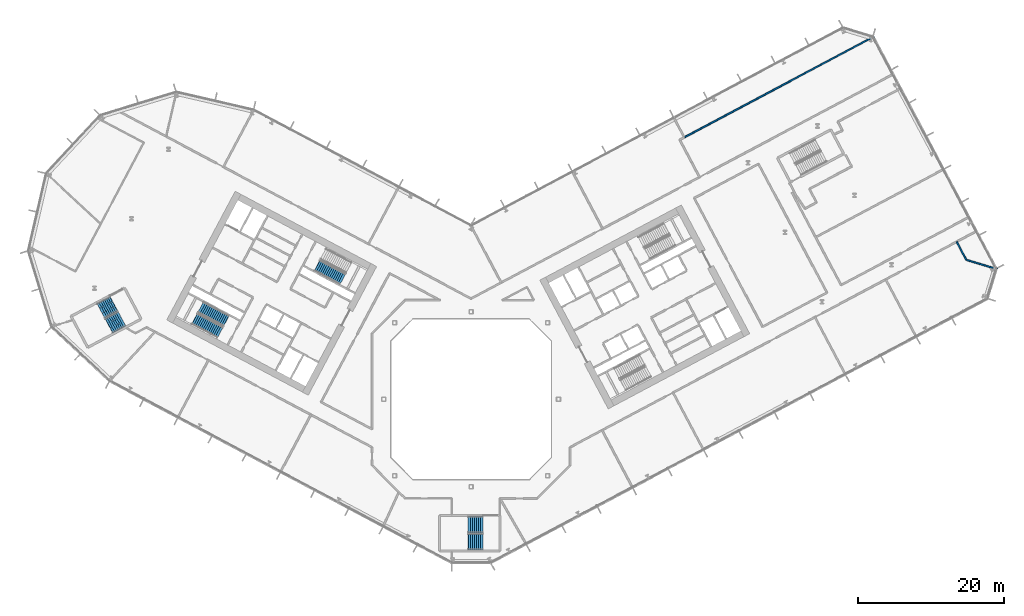
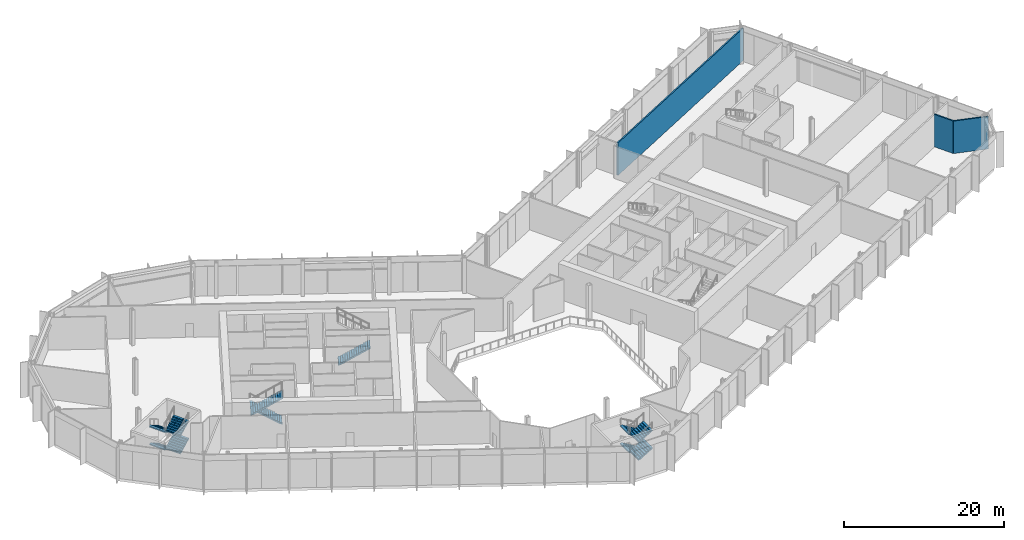
# One storey, part 18 of 32: 11 stair flights, 3 walls, 4 elements without a shape of their own.
"""IFC4 building model written with IfcOpenShell, lengths in metres."""

from ifc_helpers import new_model, si_unit, direction, frame, frame_2d, origin, place, context, subcontext, project, spatial, polyline, rectangle, outline, extrude, material, layer, layer_set, type_object, element, aggregate, save


model = new_model("IFC4")

# Units and contexts
model_context = context("Model", 3, precision=1e-05, world=origin(), true_north=direction((0.0, 1.0)))
body_context = subcontext(model_context, "Body", "Model", "MODEL_VIEW")
ifc_project = project(units=[si_unit("LENGTHUNIT", "METRE"), si_unit("AREAUNIT", "SQUARE_METRE"), si_unit("VOLUMEUNIT", "CUBIC_METRE"), si_unit("PLANEANGLEUNIT", "RADIAN"), si_unit("MASSUNIT", "GRAM", prefix="KILO")], contexts=[model_context])

# Site, building, storey
site_placement = place(None, origin())
site = spatial("IfcSite", under=ifc_project, at=site_placement, CompositionType="ELEMENT")
building_placement = place(site_placement, origin())
building = spatial("IfcBuilding", under=site, at=building_placement, Name="Cormorant Relay Tower", CompositionType="ELEMENT")
storey_placement = place(building_placement, frame((0.0, 0.0, 39.199951171875)))
storey = spatial("IfcBuildingStorey", under=building, at=storey_placement, Name="L07", CompositionType="ELEMENT", Elevation=39.199951171875)

# Walls
ifc_material_1 = material(Name="Fire-rated gypsum board partition")
ifc_layer = layer(ifc_material_1, 0.199951171875)
ifc_layer_set = layer_set([ifc_layer], Name="Fire-rated gypsum partition 200")
wall_type = type_object("IfcWallType", Name="Fire-rated gypsum partition 200", PredefinedType="PARTITIONING", material=ifc_layer_set)
wall_1_placement = place(storey_placement, frame((29.260009765625, 35.945068359375, 0.0), z_axis=(0.0, 0.0, 1.0), x_axis=(0.882955510648, 0.469456671288, 0.0)))
element("IfcWall", 1, at=wall_1_placement, inside=storey, type_object=wall_type, Name="wall/L07/part/37", PredefinedType="PARTITIONING", context=body_context, shape_type="SweptSolid", body=[
    extrude(rectangle(XDim=29.506591796875, YDim=0.199951171875, at=frame_2d((14.75341796875, 0.0))), origin(), (0.0, 0.0, 1.0), 4.949951171875),
])
wall_2_placement = place(storey_placement, frame((66.64892578125, 21.623046875, 0.0), z_axis=(0.0, 0.0, 1.0), x_axis=(0.469796507672, -0.882774739885, 0.0)))
element("IfcWall", 2, at=wall_2_placement, inside=storey, type_object=wall_type, Name="wall/L07/part/54", PredefinedType="PARTITIONING", context=body_context, shape_type="SweptSolid", body=[
    extrude(rectangle(XDim=2.801513671875, YDim=0.199951171875, at=frame_2d((1.40087890625, 0.0))), origin(), (0.0, 0.0, 1.0), 4.949951171875),
])
wall_3_placement = place(storey_placement, frame((67.965087890625, 19.14990234375, 0.0), z_axis=(0.0, 0.0, 1.0), x_axis=(0.956221844793, -0.292642757539, 0.0)))
element("IfcWall", 3, at=wall_3_placement, inside=storey, type_object=wall_type, Name="wall/L07/part/55", PredefinedType="PARTITIONING", context=body_context, shape_type="SweptSolid", body=[
    extrude(rectangle(XDim=4.459228515625, YDim=0.199951171875, at=frame_2d((2.2294921875, 0.0))), origin(), (0.0, 0.0, 1.0), 4.949951171875),
])

# Stair, stair flight
ifc_material_2 = material(Name="Concrete 40 MPa", Category="concrete")
stair_type_1 = type_object("IfcStairType", Name="Exit stair 1500", PredefinedType="HALF_TURN_STAIR", material=ifc_material_2)
stair_1_placement = place(storey_placement, origin())
stair_1 = element("IfcStair", 4, at=stair_1_placement, inside=storey, type_object=stair_type_1, Name="L07 Stair", PredefinedType="HALF_TURN_STAIR")
ifc_material_3 = material(Name="Concrete 40 MPa", Category="concrete")
stair_flight_type_1 = type_object("IfcStairFlightType", Name="Exit stair flight 1650", PredefinedType="STRAIGHT", material=ifc_material_3)
stair_flight_1_placement = place(storey_placement, frame((-21.114501953125, 18.33349609375, 0.0), z_axis=(0.0, 0.0, 1.0), x_axis=(0.882947592859, -0.469471562786, 0.0)))
stair_flight_1 = element("IfcStairFlight", 5, at=stair_flight_1_placement, type_object=stair_flight_type_1, Name="A1 flight 1", NumberOfRisers=15, NumberOfTreads=14, PredefinedType="STRAIGHT", RiserHeight=0.18, TreadLength=0.28, context=body_context, shape_type="SweptSolid", body=[
    extrude(outline(polyline([(-0.050048828125, -0.080078125), (-0.050048828125, 0.0), (0.0, 0.0), (0.0, 0.179931640625), (0.280029296875, 0.179931640625), (0.280029296875, 0.360107421875), (0.56005859375, 0.360107421875), (0.56005859375, 0.5400390625), (0.840087890625, 0.5400390625), (0.840087890625, 0.719970703125), (1.1201171875, 0.719970703125), (1.1201171875, 0.89990234375), (1.39990234375, 0.89990234375), (1.39990234375, 1.080078125), (1.679931640625, 1.080078125), (1.679931640625, 1.260009765625), (1.9599609375, 1.260009765625), (1.9599609375, 1.43994140625), (2.239990234375, 1.43994140625), (2.239990234375, 1.6201171875), (2.52001953125, 1.6201171875), (2.52001953125, 1.800048828125), (2.800048828125, 1.800048828125), (2.800048828125, 1.97998046875), (3.080078125, 1.97998046875), (3.080078125, 2.159912109375), (3.360107421875, 2.159912109375), (3.360107421875, 2.340087890625), (3.639892578125, 2.340087890625), (3.639892578125, 2.52001953125), (3.919921875, 2.52001953125), (3.969970703125, 2.52001953125), (3.969970703125, 2.341796875), (3.919921875, 2.341796875), (0.277099609375, 0.0), (-0.050048828125, -0.080078125)])), frame((0.0, 0.824951171875, 0.0), z_axis=(0.0, -1.0, 0.0), x_axis=(1.0, 0.0, 0.0)), (0.0, 0.0, 1.0), 1.64990234375),
])
aggregate(stair_1, [stair_flight_1])

# Stair, stair flights
stair_2_placement = place(storey_placement, origin())
stair_2 = element("IfcStair", 6, at=stair_2_placement, inside=storey, type_object=stair_type_1, Name="L07 Stair", PredefinedType="HALF_TURN_STAIR")
stair_flight_2_placement = place(storey_placement, frame((-33.62841796875, 10.773681640625, 0.0), z_axis=(0.0, 0.0, 1.0), x_axis=(-0.882947592859, 0.469471562786, 0.0)))
stair_flight_2 = element("IfcStairFlight", 7, at=stair_flight_2_placement, type_object=stair_flight_type_1, Name="A2 flight 1", NumberOfRisers=15, NumberOfTreads=14, PredefinedType="STRAIGHT", RiserHeight=0.18, TreadLength=0.28, context=body_context, shape_type="SweptSolid", body=[
    extrude(outline(polyline([(-0.050048828125, -0.080078125), (-0.050048828125, 0.0), (0.0, 0.0), (0.0, 0.179931640625), (0.280029296875, 0.179931640625), (0.280029296875, 0.360107421875), (0.56005859375, 0.360107421875), (0.56005859375, 0.5400390625), (0.840087890625, 0.5400390625), (0.840087890625, 0.719970703125), (1.1201171875, 0.719970703125), (1.1201171875, 0.89990234375), (1.39990234375, 0.89990234375), (1.39990234375, 1.080078125), (1.679931640625, 1.080078125), (1.679931640625, 1.260009765625), (1.9599609375, 1.260009765625), (1.9599609375, 1.43994140625), (2.239990234375, 1.43994140625), (2.239990234375, 1.6201171875), (2.52001953125, 1.6201171875), (2.52001953125, 1.800048828125), (2.800048828125, 1.800048828125), (2.800048828125, 1.97998046875), (3.080078125, 1.97998046875), (3.080078125, 2.159912109375), (3.360107421875, 2.159912109375), (3.360107421875, 2.340087890625), (3.639892578125, 2.340087890625), (3.639892578125, 2.52001953125), (3.919921875, 2.52001953125), (3.969970703125, 2.52001953125), (3.969970703125, 2.341796875), (3.919921875, 2.341796875), (0.277099609375, 0.0), (-0.050048828125, -0.080078125)])), frame((0.0, 0.824951171875, 0.0), z_axis=(0.0, -1.0, 0.0), x_axis=(1.0, 0.0, 0.0)), (0.0, 0.0, 1.0), 1.64990234375),
])
stair_flight_3_placement = place(storey_placement, frame((-37.9345703125, 11.024658203125, 2.699951171875), z_axis=(0.0, 0.0, 1.0), x_axis=(0.882947592859, -0.469471562786, 0.0)))
stair_flight_3 = element("IfcStairFlight", 8, at=stair_flight_3_placement, type_object=stair_flight_type_1, Name="A2 flight 2", NumberOfRisers=15, NumberOfTreads=14, PredefinedType="STRAIGHT", RiserHeight=0.18, TreadLength=0.28, context=body_context, shape_type="SweptSolid", body=[
    extrude(outline(polyline([(-0.050048828125, -0.080078125), (-0.050048828125, 0.0), (0.0, 0.0), (0.0, 0.179931640625), (0.280029296875, 0.179931640625), (0.280029296875, 0.360107421875), (0.56005859375, 0.360107421875), (0.56005859375, 0.5400390625), (0.840087890625, 0.5400390625), (0.840087890625, 0.719970703125), (1.1201171875, 0.719970703125), (1.1201171875, 0.89990234375), (1.39990234375, 0.89990234375), (1.39990234375, 1.080078125), (1.679931640625, 1.080078125), (1.679931640625, 1.260009765625), (1.9599609375, 1.260009765625), (1.9599609375, 1.43994140625), (2.239990234375, 1.43994140625), (2.239990234375, 1.6201171875), (2.52001953125, 1.6201171875), (2.52001953125, 1.800048828125), (2.800048828125, 1.800048828125), (2.800048828125, 1.97998046875), (3.080078125, 1.97998046875), (3.080078125, 2.159912109375), (3.360107421875, 2.159912109375), (3.360107421875, 2.340087890625), (3.639892578125, 2.340087890625), (3.639892578125, 2.52001953125), (3.919921875, 2.52001953125), (3.969970703125, 2.52001953125), (3.969970703125, 2.341796875), (3.919921875, 2.341796875), (0.277099609375, 0.0), (-0.050048828125, -0.080078125)])), frame((0.0, 0.824951171875, 0.0), z_axis=(0.0, -1.0, 0.0), x_axis=(1.0, 0.0, 0.0)), (0.0, 0.0, 1.0), 1.64990234375),
])
aggregate(stair_2, [stair_flight_2, stair_flight_3])

ifc_material_4 = material(Name="Concrete 40 MPa", Category="concrete")
stair_type_2 = type_object("IfcStairType", Name="Remote exit stair 2200", PredefinedType="HALF_TURN_STAIR", material=ifc_material_4)
stair_3_placement = place(storey_placement, origin())
stair_3 = element("IfcStair", 9, at=stair_3_placement, inside=storey, type_object=stair_type_2, Name="L07 Stair", PredefinedType="HALF_TURN_STAIR")
ifc_material_5 = material(Name="Concrete 40 MPa", Category="concrete")
stair_flight_type_2 = type_object("IfcStairFlightType", Name="Remote exit stair flight 2200", PredefinedType="STRAIGHT", material=ifc_material_5)
stair_flight_4_placement = place(storey_placement, frame((1.60009765625, -17.22509765625, 0.0), z_axis=(0.0, 0.0, 1.0), x_axis=(-1.0, 0.0, 0.0)))
stair_flight_4 = element("IfcStairFlight", 10, at=stair_flight_4_placement, type_object=stair_flight_type_2, Name="RK1 flight 1", NumberOfRisers=8, NumberOfTreads=7, PredefinedType="STRAIGHT", RiserHeight=0.16875, TreadLength=0.28, context=body_context, shape_type="SweptSolid", body=[
    extrude(outline(polyline([(-0.050048828125, -0.080078125), (-0.050048828125, 0.0), (0.0, 0.0), (0.0, 0.168701171875), (0.280029296875, 0.168701171875), (0.280029296875, 0.33740234375), (0.56005859375, 0.33740234375), (0.56005859375, 0.50634765625), (0.840087890625, 0.50634765625), (0.840087890625, 0.675048828125), (1.1201171875, 0.675048828125), (1.1201171875, 0.84375), (1.39990234375, 0.84375), (1.39990234375, 1.012451171875), (1.679931640625, 1.012451171875), (1.679931640625, 1.18115234375), (1.9599609375, 1.18115234375), (2.010009765625, 1.18115234375), (2.010009765625, 1.00634765625), (1.9599609375, 1.00634765625), (0.29052734375, 0.0), (-0.050048828125, -0.080078125)])), frame((0.0, 1.10009765625, 0.0), z_axis=(0.0, -1.0, 0.0), x_axis=(1.0, 0.0, 0.0)), (0.0, 0.0, 1.0), 0.719970703125),
    extrude(outline(polyline([(-0.050048828125, -0.080078125), (-0.050048828125, 0.0), (0.0, 0.0), (0.0, 0.168701171875), (0.280029296875, 0.168701171875), (0.280029296875, 0.33740234375), (0.56005859375, 0.33740234375), (0.56005859375, 0.50634765625), (0.840087890625, 0.50634765625), (0.840087890625, 0.675048828125), (1.1201171875, 0.675048828125), (1.1201171875, 0.84375), (1.39990234375, 0.84375), (1.39990234375, 1.012451171875), (1.679931640625, 1.012451171875), (1.679931640625, 1.18115234375), (1.9599609375, 1.18115234375), (2.010009765625, 1.18115234375), (2.010009765625, 1.00634765625), (1.9599609375, 1.00634765625), (0.29052734375, 0.0), (-0.050048828125, -0.080078125)])), frame((0.0, 0.360107421875, 0.0), z_axis=(0.0, -1.0, 0.0), x_axis=(1.0, 0.0, 0.0)), (0.0, 0.0, 1.0), 0.719970703125),
    extrude(outline(polyline([(-0.050048828125, -0.080078125), (-0.050048828125, 0.0), (0.0, 0.0), (0.0, 0.168701171875), (0.280029296875, 0.168701171875), (0.280029296875, 0.33740234375), (0.56005859375, 0.33740234375), (0.56005859375, 0.50634765625), (0.840087890625, 0.50634765625), (0.840087890625, 0.675048828125), (1.1201171875, 0.675048828125), (1.1201171875, 0.84375), (1.39990234375, 0.84375), (1.39990234375, 1.012451171875), (1.679931640625, 1.012451171875), (1.679931640625, 1.18115234375), (1.9599609375, 1.18115234375), (2.010009765625, 1.18115234375), (2.010009765625, 1.00634765625), (1.9599609375, 1.00634765625), (0.29052734375, 0.0), (-0.050048828125, -0.080078125)])), frame((0.0, -0.3798828125, 0.0), z_axis=(0.0, -1.0, 0.0), x_axis=(1.0, 0.0, 0.0)), (0.0, 0.0, 1.0), 0.719970703125),
])
stair_flight_5_placement = place(storey_placement, frame((-0.360107421875, -19.574951171875, 1.35009765625), z_axis=(0.0, 0.0, 1.0), x_axis=(1.0, 0.0, 0.0)))
stair_flight_5 = element("IfcStairFlight", 11, at=stair_flight_5_placement, type_object=stair_flight_type_2, Name="RK1 flight 2", NumberOfRisers=8, NumberOfTreads=7, PredefinedType="STRAIGHT", RiserHeight=0.16875, TreadLength=0.28, context=body_context, shape_type="SweptSolid", body=[
    extrude(outline(polyline([(-0.050048828125, -0.080078125), (-0.050048828125, 0.0), (0.0, 0.0), (0.0, 0.168701171875), (0.280029296875, 0.168701171875), (0.280029296875, 0.33740234375), (0.56005859375, 0.33740234375), (0.56005859375, 0.50634765625), (0.840087890625, 0.50634765625), (0.840087890625, 0.675048828125), (1.1201171875, 0.675048828125), (1.1201171875, 0.84375), (1.39990234375, 0.84375), (1.39990234375, 1.012451171875), (1.679931640625, 1.012451171875), (1.679931640625, 1.18115234375), (1.9599609375, 1.18115234375), (2.010009765625, 1.18115234375), (2.010009765625, 1.00634765625), (1.9599609375, 1.00634765625), (0.29052734375, 0.0), (-0.050048828125, -0.080078125)])), frame((0.0, 1.10009765625, 0.0), z_axis=(0.0, -1.0, 0.0), x_axis=(1.0, 0.0, 0.0)), (0.0, 0.0, 1.0), 0.719970703125),
    extrude(outline(polyline([(-0.050048828125, -0.080078125), (-0.050048828125, 0.0), (0.0, 0.0), (0.0, 0.168701171875), (0.280029296875, 0.168701171875), (0.280029296875, 0.33740234375), (0.56005859375, 0.33740234375), (0.56005859375, 0.50634765625), (0.840087890625, 0.50634765625), (0.840087890625, 0.675048828125), (1.1201171875, 0.675048828125), (1.1201171875, 0.84375), (1.39990234375, 0.84375), (1.39990234375, 1.012451171875), (1.679931640625, 1.012451171875), (1.679931640625, 1.18115234375), (1.9599609375, 1.18115234375), (2.010009765625, 1.18115234375), (2.010009765625, 1.00634765625), (1.9599609375, 1.00634765625), (0.29052734375, 0.0), (-0.050048828125, -0.080078125)])), frame((0.0, 0.360107421875, 0.0), z_axis=(0.0, -1.0, 0.0), x_axis=(1.0, 0.0, 0.0)), (0.0, 0.0, 1.0), 0.719970703125),
    extrude(outline(polyline([(-0.050048828125, -0.080078125), (-0.050048828125, 0.0), (0.0, 0.0), (0.0, 0.168701171875), (0.280029296875, 0.168701171875), (0.280029296875, 0.33740234375), (0.56005859375, 0.33740234375), (0.56005859375, 0.50634765625), (0.840087890625, 0.50634765625), (0.840087890625, 0.675048828125), (1.1201171875, 0.675048828125), (1.1201171875, 0.84375), (1.39990234375, 0.84375), (1.39990234375, 1.012451171875), (1.679931640625, 1.012451171875), (1.679931640625, 1.18115234375), (1.9599609375, 1.18115234375), (2.010009765625, 1.18115234375), (2.010009765625, 1.00634765625), (1.9599609375, 1.00634765625), (0.29052734375, 0.0), (-0.050048828125, -0.080078125)])), frame((0.0, -0.3798828125, 0.0), z_axis=(0.0, -1.0, 0.0), x_axis=(1.0, 0.0, 0.0)), (0.0, 0.0, 1.0), 0.719970703125),
])
stair_flight_6_placement = place(storey_placement, frame((1.60009765625, -17.22509765625, 2.699951171875), z_axis=(0.0, 0.0, 1.0), x_axis=(-1.0, 0.0, 0.0)))
stair_flight_6 = element("IfcStairFlight", 12, at=stair_flight_6_placement, type_object=stair_flight_type_2, Name="RK1 flight 3", NumberOfRisers=8, NumberOfTreads=7, PredefinedType="STRAIGHT", RiserHeight=0.16875, TreadLength=0.28, context=body_context, shape_type="SweptSolid", body=[
    extrude(outline(polyline([(-0.050048828125, -0.080078125), (-0.050048828125, 0.0), (0.0, 0.0), (0.0, 0.168701171875), (0.280029296875, 0.168701171875), (0.280029296875, 0.33740234375), (0.56005859375, 0.33740234375), (0.56005859375, 0.50634765625), (0.840087890625, 0.50634765625), (0.840087890625, 0.675048828125), (1.1201171875, 0.675048828125), (1.1201171875, 0.84375), (1.39990234375, 0.84375), (1.39990234375, 1.012451171875), (1.679931640625, 1.012451171875), (1.679931640625, 1.18115234375), (1.9599609375, 1.18115234375), (2.010009765625, 1.18115234375), (2.010009765625, 1.00634765625), (1.9599609375, 1.00634765625), (0.29052734375, 0.0), (-0.050048828125, -0.080078125)])), frame((0.0, 1.10009765625, 0.0), z_axis=(0.0, -1.0, 0.0), x_axis=(1.0, 0.0, 0.0)), (0.0, 0.0, 1.0), 0.719970703125),
    extrude(outline(polyline([(-0.050048828125, -0.080078125), (-0.050048828125, 0.0), (0.0, 0.0), (0.0, 0.168701171875), (0.280029296875, 0.168701171875), (0.280029296875, 0.33740234375), (0.56005859375, 0.33740234375), (0.56005859375, 0.50634765625), (0.840087890625, 0.50634765625), (0.840087890625, 0.675048828125), (1.1201171875, 0.675048828125), (1.1201171875, 0.84375), (1.39990234375, 0.84375), (1.39990234375, 1.012451171875), (1.679931640625, 1.012451171875), (1.679931640625, 1.18115234375), (1.9599609375, 1.18115234375), (2.010009765625, 1.18115234375), (2.010009765625, 1.00634765625), (1.9599609375, 1.00634765625), (0.29052734375, 0.0), (-0.050048828125, -0.080078125)])), frame((0.0, 0.360107421875, 0.0), z_axis=(0.0, -1.0, 0.0), x_axis=(1.0, 0.0, 0.0)), (0.0, 0.0, 1.0), 0.719970703125),
    extrude(outline(polyline([(-0.050048828125, -0.080078125), (-0.050048828125, 0.0), (0.0, 0.0), (0.0, 0.168701171875), (0.280029296875, 0.168701171875), (0.280029296875, 0.33740234375), (0.56005859375, 0.33740234375), (0.56005859375, 0.50634765625), (0.840087890625, 0.50634765625), (0.840087890625, 0.675048828125), (1.1201171875, 0.675048828125), (1.1201171875, 0.84375), (1.39990234375, 0.84375), (1.39990234375, 1.012451171875), (1.679931640625, 1.012451171875), (1.679931640625, 1.18115234375), (1.9599609375, 1.18115234375), (2.010009765625, 1.18115234375), (2.010009765625, 1.00634765625), (1.9599609375, 1.00634765625), (0.29052734375, 0.0), (-0.050048828125, -0.080078125)])), frame((0.0, -0.3798828125, 0.0), z_axis=(0.0, -1.0, 0.0), x_axis=(1.0, 0.0, 0.0)), (0.0, 0.0, 1.0), 0.719970703125),
])
stair_flight_7_placement = place(storey_placement, frame((-0.360107421875, -19.574951171875, 4.050048828125), z_axis=(0.0, 0.0, 1.0), x_axis=(1.0, 0.0, 0.0)))
stair_flight_7 = element("IfcStairFlight", 13, at=stair_flight_7_placement, type_object=stair_flight_type_2, Name="RK1 flight 4", NumberOfRisers=8, NumberOfTreads=7, PredefinedType="STRAIGHT", RiserHeight=0.16875, TreadLength=0.28, context=body_context, shape_type="SweptSolid", body=[
    extrude(outline(polyline([(-0.050048828125, -0.080078125), (-0.050048828125, 0.0), (0.0, 0.0), (0.0, 0.168701171875), (0.280029296875, 0.168701171875), (0.280029296875, 0.33740234375), (0.56005859375, 0.33740234375), (0.56005859375, 0.50634765625), (0.840087890625, 0.50634765625), (0.840087890625, 0.675048828125), (1.1201171875, 0.675048828125), (1.1201171875, 0.84375), (1.39990234375, 0.84375), (1.39990234375, 1.012451171875), (1.679931640625, 1.012451171875), (1.679931640625, 1.18115234375), (1.9599609375, 1.18115234375), (2.010009765625, 1.18115234375), (2.010009765625, 1.00634765625), (1.9599609375, 1.00634765625), (0.29052734375, 0.0), (-0.050048828125, -0.080078125)])), frame((0.0, 1.10009765625, 0.0), z_axis=(0.0, -1.0, 0.0), x_axis=(1.0, 0.0, 0.0)), (0.0, 0.0, 1.0), 0.719970703125),
    extrude(outline(polyline([(-0.050048828125, -0.080078125), (-0.050048828125, 0.0), (0.0, 0.0), (0.0, 0.168701171875), (0.280029296875, 0.168701171875), (0.280029296875, 0.33740234375), (0.56005859375, 0.33740234375), (0.56005859375, 0.50634765625), (0.840087890625, 0.50634765625), (0.840087890625, 0.675048828125), (1.1201171875, 0.675048828125), (1.1201171875, 0.84375), (1.39990234375, 0.84375), (1.39990234375, 1.012451171875), (1.679931640625, 1.012451171875), (1.679931640625, 1.18115234375), (1.9599609375, 1.18115234375), (2.010009765625, 1.18115234375), (2.010009765625, 1.00634765625), (1.9599609375, 1.00634765625), (0.29052734375, 0.0), (-0.050048828125, -0.080078125)])), frame((0.0, 0.360107421875, 0.0), z_axis=(0.0, -1.0, 0.0), x_axis=(1.0, 0.0, 0.0)), (0.0, 0.0, 1.0), 0.719970703125),
    extrude(outline(polyline([(-0.050048828125, -0.080078125), (-0.050048828125, 0.0), (0.0, 0.0), (0.0, 0.168701171875), (0.280029296875, 0.168701171875), (0.280029296875, 0.33740234375), (0.56005859375, 0.33740234375), (0.56005859375, 0.50634765625), (0.840087890625, 0.50634765625), (0.840087890625, 0.675048828125), (1.1201171875, 0.675048828125), (1.1201171875, 0.84375), (1.39990234375, 0.84375), (1.39990234375, 1.012451171875), (1.679931640625, 1.012451171875), (1.679931640625, 1.18115234375), (1.9599609375, 1.18115234375), (2.010009765625, 1.18115234375), (2.010009765625, 1.00634765625), (1.9599609375, 1.00634765625), (0.29052734375, 0.0), (-0.050048828125, -0.080078125)])), frame((0.0, -0.3798828125, 0.0), z_axis=(0.0, -1.0, 0.0), x_axis=(1.0, 0.0, 0.0)), (0.0, 0.0, 1.0), 0.719970703125),
])
aggregate(stair_3, [stair_flight_4, stair_flight_5, stair_flight_6, stair_flight_7])

stair_4_placement = place(storey_placement, origin())
stair_4 = element("IfcStair", 14, at=stair_4_placement, inside=storey, type_object=stair_type_2, Name="L07 Stair", PredefinedType="HALF_TURN_STAIR")
stair_flight_8_placement = place(storey_placement, frame((-49.062255859375, 13.08251953125, 0.0), z_axis=(0.0, 0.0, 1.0), x_axis=(-0.882947502727, -0.4694717323, 0.0)))
stair_flight_8 = element("IfcStairFlight", 15, at=stair_flight_8_placement, type_object=stair_flight_type_2, Name="RP1 flight 1", NumberOfRisers=8, NumberOfTreads=7, PredefinedType="STRAIGHT", RiserHeight=0.16875, TreadLength=0.28, context=body_context, shape_type="SweptSolid", body=[
    extrude(outline(polyline([(-0.050048828125, -0.080078125), (-0.050048828125, 0.0), (0.0, 0.0), (0.0, 0.168701171875), (0.280029296875, 0.168701171875), (0.280029296875, 0.33740234375), (0.56005859375, 0.33740234375), (0.56005859375, 0.50634765625), (0.840087890625, 0.50634765625), (0.840087890625, 0.675048828125), (1.1201171875, 0.675048828125), (1.1201171875, 0.84375), (1.39990234375, 0.84375), (1.39990234375, 1.012451171875), (1.679931640625, 1.012451171875), (1.679931640625, 1.18115234375), (1.9599609375, 1.18115234375), (2.010009765625, 1.18115234375), (2.010009765625, 1.00634765625), (1.9599609375, 1.00634765625), (0.29052734375, 0.0), (-0.050048828125, -0.080078125)])), frame((0.0, 1.10009765625, 0.0), z_axis=(0.0, -1.0, 0.0), x_axis=(1.0, 0.0, 0.0)), (0.0, 0.0, 1.0), 0.719970703125),
    extrude(outline(polyline([(-0.050048828125, -0.080078125), (-0.050048828125, 0.0), (0.0, 0.0), (0.0, 0.168701171875), (0.280029296875, 0.168701171875), (0.280029296875, 0.33740234375), (0.56005859375, 0.33740234375), (0.56005859375, 0.50634765625), (0.840087890625, 0.50634765625), (0.840087890625, 0.675048828125), (1.1201171875, 0.675048828125), (1.1201171875, 0.84375), (1.39990234375, 0.84375), (1.39990234375, 1.012451171875), (1.679931640625, 1.012451171875), (1.679931640625, 1.18115234375), (1.9599609375, 1.18115234375), (2.010009765625, 1.18115234375), (2.010009765625, 1.00634765625), (1.9599609375, 1.00634765625), (0.29052734375, 0.0), (-0.050048828125, -0.080078125)])), frame((0.0, 0.360107421875, 0.0), z_axis=(0.0, -1.0, 0.0), x_axis=(1.0, 0.0, 0.0)), (0.0, 0.0, 1.0), 0.719970703125),
    extrude(outline(polyline([(-0.050048828125, -0.080078125), (-0.050048828125, 0.0), (0.0, 0.0), (0.0, 0.168701171875), (0.280029296875, 0.168701171875), (0.280029296875, 0.33740234375), (0.56005859375, 0.33740234375), (0.56005859375, 0.50634765625), (0.840087890625, 0.50634765625), (0.840087890625, 0.675048828125), (1.1201171875, 0.675048828125), (1.1201171875, 0.84375), (1.39990234375, 0.84375), (1.39990234375, 1.012451171875), (1.679931640625, 1.012451171875), (1.679931640625, 1.18115234375), (1.9599609375, 1.18115234375), (2.010009765625, 1.18115234375), (2.010009765625, 1.00634765625), (1.9599609375, 1.00634765625), (0.29052734375, 0.0), (-0.050048828125, -0.080078125)])), frame((0.0, -0.3798828125, 0.0), z_axis=(0.0, -1.0, 0.0), x_axis=(1.0, 0.0, 0.0)), (0.0, 0.0, 1.0), 0.719970703125),
])
stair_flight_9_placement = place(storey_placement, frame((-49.689697265625, 10.08740234375, 1.35009765625), z_axis=(0.0, 0.0, 1.0), x_axis=(0.882947502727, 0.4694717323, 0.0)))
stair_flight_9 = element("IfcStairFlight", 16, at=stair_flight_9_placement, type_object=stair_flight_type_2, Name="RP1 flight 2", NumberOfRisers=8, NumberOfTreads=7, PredefinedType="STRAIGHT", RiserHeight=0.16875, TreadLength=0.28, context=body_context, shape_type="SweptSolid", body=[
    extrude(outline(polyline([(-0.050048828125, -0.080078125), (-0.050048828125, 0.0), (0.0, 0.0), (0.0, 0.168701171875), (0.280029296875, 0.168701171875), (0.280029296875, 0.33740234375), (0.56005859375, 0.33740234375), (0.56005859375, 0.50634765625), (0.840087890625, 0.50634765625), (0.840087890625, 0.675048828125), (1.1201171875, 0.675048828125), (1.1201171875, 0.84375), (1.39990234375, 0.84375), (1.39990234375, 1.012451171875), (1.679931640625, 1.012451171875), (1.679931640625, 1.18115234375), (1.9599609375, 1.18115234375), (2.010009765625, 1.18115234375), (2.010009765625, 1.00634765625), (1.9599609375, 1.00634765625), (0.29052734375, 0.0), (-0.050048828125, -0.080078125)])), frame((0.0, 1.10009765625, 0.0), z_axis=(0.0, -1.0, 0.0), x_axis=(1.0, 0.0, 0.0)), (0.0, 0.0, 1.0), 0.719970703125),
    extrude(outline(polyline([(-0.050048828125, -0.080078125), (-0.050048828125, 0.0), (0.0, 0.0), (0.0, 0.168701171875), (0.280029296875, 0.168701171875), (0.280029296875, 0.33740234375), (0.56005859375, 0.33740234375), (0.56005859375, 0.50634765625), (0.840087890625, 0.50634765625), (0.840087890625, 0.675048828125), (1.1201171875, 0.675048828125), (1.1201171875, 0.84375), (1.39990234375, 0.84375), (1.39990234375, 1.012451171875), (1.679931640625, 1.012451171875), (1.679931640625, 1.18115234375), (1.9599609375, 1.18115234375), (2.010009765625, 1.18115234375), (2.010009765625, 1.00634765625), (1.9599609375, 1.00634765625), (0.29052734375, 0.0), (-0.050048828125, -0.080078125)])), frame((0.0, 0.360107421875, 0.0), z_axis=(0.0, -1.0, 0.0), x_axis=(1.0, 0.0, 0.0)), (0.0, 0.0, 1.0), 0.719970703125),
    extrude(outline(polyline([(-0.050048828125, -0.080078125), (-0.050048828125, 0.0), (0.0, 0.0), (0.0, 0.168701171875), (0.280029296875, 0.168701171875), (0.280029296875, 0.33740234375), (0.56005859375, 0.33740234375), (0.56005859375, 0.50634765625), (0.840087890625, 0.50634765625), (0.840087890625, 0.675048828125), (1.1201171875, 0.675048828125), (1.1201171875, 0.84375), (1.39990234375, 0.84375), (1.39990234375, 1.012451171875), (1.679931640625, 1.012451171875), (1.679931640625, 1.18115234375), (1.9599609375, 1.18115234375), (2.010009765625, 1.18115234375), (2.010009765625, 1.00634765625), (1.9599609375, 1.00634765625), (0.29052734375, 0.0), (-0.050048828125, -0.080078125)])), frame((0.0, -0.3798828125, 0.0), z_axis=(0.0, -1.0, 0.0), x_axis=(1.0, 0.0, 0.0)), (0.0, 0.0, 1.0), 0.719970703125),
])
stair_flight_10_placement = place(storey_placement, frame((-49.062255859375, 13.08251953125, 2.699951171875), z_axis=(0.0, 0.0, 1.0), x_axis=(-0.882947502727, -0.4694717323, 0.0)))
stair_flight_10 = element("IfcStairFlight", 17, at=stair_flight_10_placement, type_object=stair_flight_type_2, Name="RP1 flight 3", NumberOfRisers=8, NumberOfTreads=7, PredefinedType="STRAIGHT", RiserHeight=0.16875, TreadLength=0.28, context=body_context, shape_type="SweptSolid", body=[
    extrude(outline(polyline([(-0.050048828125, -0.080078125), (-0.050048828125, 0.0), (0.0, 0.0), (0.0, 0.168701171875), (0.280029296875, 0.168701171875), (0.280029296875, 0.33740234375), (0.56005859375, 0.33740234375), (0.56005859375, 0.50634765625), (0.840087890625, 0.50634765625), (0.840087890625, 0.675048828125), (1.1201171875, 0.675048828125), (1.1201171875, 0.84375), (1.39990234375, 0.84375), (1.39990234375, 1.012451171875), (1.679931640625, 1.012451171875), (1.679931640625, 1.18115234375), (1.9599609375, 1.18115234375), (2.010009765625, 1.18115234375), (2.010009765625, 1.00634765625), (1.9599609375, 1.00634765625), (0.29052734375, 0.0), (-0.050048828125, -0.080078125)])), frame((0.0, 1.10009765625, 0.0), z_axis=(0.0, -1.0, 0.0), x_axis=(1.0, 0.0, 0.0)), (0.0, 0.0, 1.0), 0.719970703125),
    extrude(outline(polyline([(-0.050048828125, -0.080078125), (-0.050048828125, 0.0), (0.0, 0.0), (0.0, 0.168701171875), (0.280029296875, 0.168701171875), (0.280029296875, 0.33740234375), (0.56005859375, 0.33740234375), (0.56005859375, 0.50634765625), (0.840087890625, 0.50634765625), (0.840087890625, 0.675048828125), (1.1201171875, 0.675048828125), (1.1201171875, 0.84375), (1.39990234375, 0.84375), (1.39990234375, 1.012451171875), (1.679931640625, 1.012451171875), (1.679931640625, 1.18115234375), (1.9599609375, 1.18115234375), (2.010009765625, 1.18115234375), (2.010009765625, 1.00634765625), (1.9599609375, 1.00634765625), (0.29052734375, 0.0), (-0.050048828125, -0.080078125)])), frame((0.0, 0.360107421875, 0.0), z_axis=(0.0, -1.0, 0.0), x_axis=(1.0, 0.0, 0.0)), (0.0, 0.0, 1.0), 0.719970703125),
    extrude(outline(polyline([(-0.050048828125, -0.080078125), (-0.050048828125, 0.0), (0.0, 0.0), (0.0, 0.168701171875), (0.280029296875, 0.168701171875), (0.280029296875, 0.33740234375), (0.56005859375, 0.33740234375), (0.56005859375, 0.50634765625), (0.840087890625, 0.50634765625), (0.840087890625, 0.675048828125), (1.1201171875, 0.675048828125), (1.1201171875, 0.84375), (1.39990234375, 0.84375), (1.39990234375, 1.012451171875), (1.679931640625, 1.012451171875), (1.679931640625, 1.18115234375), (1.9599609375, 1.18115234375), (2.010009765625, 1.18115234375), (2.010009765625, 1.00634765625), (1.9599609375, 1.00634765625), (0.29052734375, 0.0), (-0.050048828125, -0.080078125)])), frame((0.0, -0.3798828125, 0.0), z_axis=(0.0, -1.0, 0.0), x_axis=(1.0, 0.0, 0.0)), (0.0, 0.0, 1.0), 0.719970703125),
])
stair_flight_11_placement = place(storey_placement, frame((-49.689697265625, 10.08740234375, 4.050048828125), z_axis=(0.0, 0.0, 1.0), x_axis=(0.882947502727, 0.4694717323, 0.0)))
stair_flight_11 = element("IfcStairFlight", 18, at=stair_flight_11_placement, type_object=stair_flight_type_2, Name="RP1 flight 4", NumberOfRisers=8, NumberOfTreads=7, PredefinedType="STRAIGHT", RiserHeight=0.16875, TreadLength=0.28, context=body_context, shape_type="SweptSolid", body=[
    extrude(outline(polyline([(-0.050048828125, -0.080078125), (-0.050048828125, 0.0), (0.0, 0.0), (0.0, 0.168701171875), (0.280029296875, 0.168701171875), (0.280029296875, 0.33740234375), (0.56005859375, 0.33740234375), (0.56005859375, 0.50634765625), (0.840087890625, 0.50634765625), (0.840087890625, 0.675048828125), (1.1201171875, 0.675048828125), (1.1201171875, 0.84375), (1.39990234375, 0.84375), (1.39990234375, 1.012451171875), (1.679931640625, 1.012451171875), (1.679931640625, 1.18115234375), (1.9599609375, 1.18115234375), (2.010009765625, 1.18115234375), (2.010009765625, 1.00634765625), (1.9599609375, 1.00634765625), (0.29052734375, 0.0), (-0.050048828125, -0.080078125)])), frame((0.0, 1.10009765625, 0.0), z_axis=(0.0, -1.0, 0.0), x_axis=(1.0, 0.0, 0.0)), (0.0, 0.0, 1.0), 0.719970703125),
    extrude(outline(polyline([(-0.050048828125, -0.080078125), (-0.050048828125, 0.0), (0.0, 0.0), (0.0, 0.168701171875), (0.280029296875, 0.168701171875), (0.280029296875, 0.33740234375), (0.56005859375, 0.33740234375), (0.56005859375, 0.50634765625), (0.840087890625, 0.50634765625), (0.840087890625, 0.675048828125), (1.1201171875, 0.675048828125), (1.1201171875, 0.84375), (1.39990234375, 0.84375), (1.39990234375, 1.012451171875), (1.679931640625, 1.012451171875), (1.679931640625, 1.18115234375), (1.9599609375, 1.18115234375), (2.010009765625, 1.18115234375), (2.010009765625, 1.00634765625), (1.9599609375, 1.00634765625), (0.29052734375, 0.0), (-0.050048828125, -0.080078125)])), frame((0.0, 0.360107421875, 0.0), z_axis=(0.0, -1.0, 0.0), x_axis=(1.0, 0.0, 0.0)), (0.0, 0.0, 1.0), 0.719970703125),
    extrude(outline(polyline([(-0.050048828125, -0.080078125), (-0.050048828125, 0.0), (0.0, 0.0), (0.0, 0.168701171875), (0.280029296875, 0.168701171875), (0.280029296875, 0.33740234375), (0.56005859375, 0.33740234375), (0.56005859375, 0.50634765625), (0.840087890625, 0.50634765625), (0.840087890625, 0.675048828125), (1.1201171875, 0.675048828125), (1.1201171875, 0.84375), (1.39990234375, 0.84375), (1.39990234375, 1.012451171875), (1.679931640625, 1.012451171875), (1.679931640625, 1.18115234375), (1.9599609375, 1.18115234375), (2.010009765625, 1.18115234375), (2.010009765625, 1.00634765625), (1.9599609375, 1.00634765625), (0.29052734375, 0.0), (-0.050048828125, -0.080078125)])), frame((0.0, -0.3798828125, 0.0), z_axis=(0.0, -1.0, 0.0), x_axis=(1.0, 0.0, 0.0)), (0.0, 0.0, 1.0), 0.719970703125),
])
aggregate(stair_4, [stair_flight_8, stair_flight_9, stair_flight_10, stair_flight_11])

save(model, "model.ifc")
